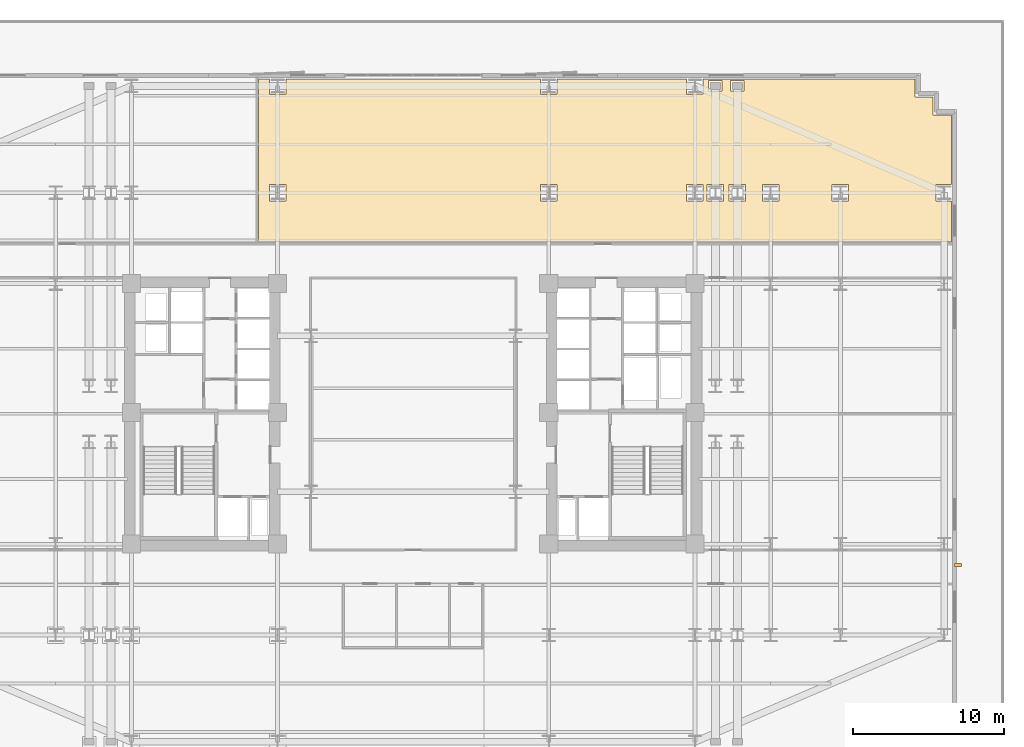
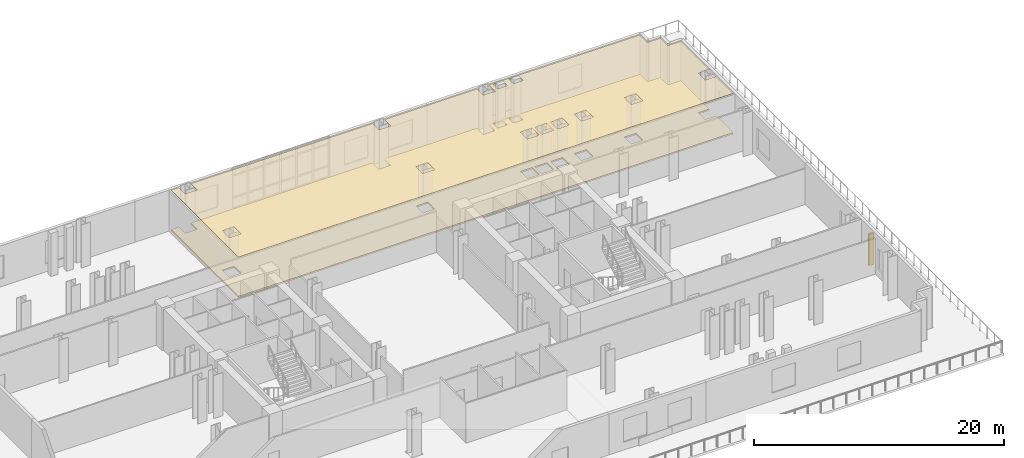
# One storey, part 14 of 14: 2 coverings, 1 shading device.
"""IFC4 building model written with IfcOpenShell, lengths in metres."""

from ifc_helpers import new_model, si_unit, direction, frame, origin, origin_2d, place, context, subcontext, project, spatial, polyline, rectangle, outline, extrude, material, layer, layer_set, type_object, element, save


model = new_model("IFC4")

# Units and contexts
model_context = context("Model", 3, precision=1e-05, world=origin(), true_north=direction((0.0, 1.0)))
body_context = subcontext(model_context, "Body", "Model", "MODEL_VIEW")
ifc_project = project(units=[si_unit("LENGTHUNIT", "METRE"), si_unit("AREAUNIT", "SQUARE_METRE"), si_unit("VOLUMEUNIT", "CUBIC_METRE"), si_unit("PLANEANGLEUNIT", "RADIAN"), si_unit("MASSUNIT", "GRAM", prefix="KILO")], contexts=[model_context])

# Site, building, storey
site_placement = place(None, origin())
site = spatial("IfcSite", under=ifc_project, at=site_placement, CompositionType="ELEMENT")
building_placement = place(site_placement, origin())
building = spatial("IfcBuilding", under=site, at=building_placement, Name="Velakula Bourse", CompositionType="ELEMENT")
storey_placement = place(building_placement, frame((0.0, 0.0, 27.0)))
storey = spatial("IfcBuildingStorey", under=building, at=storey_placement, Name="L06", CompositionType="ELEMENT", Elevation=27.0)

# Coverings
ifc_material_1 = material(Name="Mineral-fibre acoustic suspended ceiling tile", Category="mineral")
ifc_layer_1 = layer(ifc_material_1, 0.0400390625, Name="Mineral-fibre acoustic suspended ceiling tile", Category="mineral")
ifc_layer_set_1 = layer_set([ifc_layer_1], Name="Mineral-fibre acoustic suspended ceiling tile")
covering_type_1 = type_object("IfcCoveringType", Name="COV-CEIL-AC-40", PredefinedType="CEILING", material=ifc_layer_set_1)
covering_1_placement = place(storey_placement, frame((0.0, 0.0, 3.949951171875)))
element("IfcCovering", 1, at=covering_1_placement, inside=storey, type_object=covering_type_1, Name="L06 Yield Curve Seminar Room Acoustic Suspended Ceiling", PredefinedType="CEILING", context=body_context, shape_type="SweptSolid", body=[
    extrude(outline(polyline([(8.405029296875, 22.1201171875), (8.405029296875, 21.10498046875), (9.4951171875, 21.10498046875), (9.4951171875, 22.1201171875), (18.054931640625, 22.1201171875), (18.054931640625, 21.10498046875), (19.14501953125, 21.10498046875), (19.14501953125, 22.1201171875), (33.1201171875, 22.1201171875), (33.1201171875, 20.919921875), (34.320068359375, 20.919921875), (34.320068359375, 19.719970703125), (35.52001953125, 19.719970703125), (35.52001953125, 15.14501953125), (34.5048828125, 15.14501953125), (34.5048828125, 14.054931640625), (35.52001953125, 14.054931640625), (35.52001953125, 11.330078125), (-10.2119140625, 11.330078125), (-10.2119140625, 22.1201171875), (-9.4951171875, 22.1201171875), (-9.4951171875, 21.10498046875), (-8.405029296875, 21.10498046875), (-8.405029296875, 22.1201171875), (8.405029296875, 22.1201171875)]), holes=[polyline([(8.405029296875, 15.14501953125), (8.405029296875, 14.054931640625), (9.4951171875, 14.054931640625), (9.4951171875, 15.14501953125), (8.405029296875, 15.14501953125)]), polyline([(-9.4951171875, 14.054931640625), (-8.405029296875, 14.054931640625), (-8.405029296875, 15.14501953125), (-9.4951171875, 15.14501953125), (-9.4951171875, 14.054931640625)]), polyline([(27.655029296875, 15.14501953125), (27.655029296875, 14.054931640625), (28.7451171875, 14.054931640625), (28.7451171875, 15.14501953125), (27.655029296875, 15.14501953125)]), polyline([(23.054931640625, 15.14501953125), (23.054931640625, 14.054931640625), (24.14501953125, 14.054931640625), (24.14501953125, 15.14501953125), (23.054931640625, 15.14501953125)]), polyline([(20.85498046875, 14.054931640625), (21.945068359375, 14.054931640625), (21.945068359375, 15.14501953125), (20.85498046875, 15.14501953125), (20.85498046875, 14.054931640625)]), polyline([(19.405029296875, 14.054931640625), (20.4951171875, 14.054931640625), (20.4951171875, 15.14501953125), (19.405029296875, 15.14501953125), (19.405029296875, 14.054931640625)]), polyline([(18.054931640625, 14.054931640625), (19.14501953125, 14.054931640625), (19.14501953125, 15.14501953125), (18.054931640625, 15.14501953125), (18.054931640625, 14.054931640625)]), polyline([(20.955078125, 21.9951171875), (20.955078125, 21.304931640625), (21.844970703125, 21.304931640625), (21.844970703125, 21.9951171875), (20.955078125, 21.9951171875)]), polyline([(19.5048828125, 21.9951171875), (19.5048828125, 21.304931640625), (20.39501953125, 21.304931640625), (20.39501953125, 21.9951171875), (19.5048828125, 21.9951171875)])]), origin(), (0.0, 0.0, 1.0), 0.0400390625),
])
ifc_material_2 = material(Name="Calcium-sulphate antistatic raised access flooring", Category="gypsum")
ifc_layer_2 = layer(ifc_material_2, 0.14990234375, Name="Calcium-sulphate antistatic raised access flooring", Category="gypsum")
ifc_layer_set_2 = layer_set([ifc_layer_2], Name="Calcium-sulphate antistatic raised access flooring")
covering_type_2 = type_object("IfcCoveringType", Name="COV-FLR-RAISED-150", PredefinedType="FLOORING", material=ifc_layer_set_2)
covering_2_placement = place(storey_placement, origin())
element("IfcCovering", 2, at=covering_2_placement, inside=storey, type_object=covering_type_2, Name="L06 Yield Curve Seminar Room Raised Trading Access Floor", PredefinedType="FLOORING", context=body_context, shape_type="SweptSolid", body=[
    extrude(outline(polyline([(8.405029296875, 22.1201171875), (8.405029296875, 21.10498046875), (9.4951171875, 21.10498046875), (9.4951171875, 22.1201171875), (18.054931640625, 22.1201171875), (18.054931640625, 21.10498046875), (19.14501953125, 21.10498046875), (19.14501953125, 22.1201171875), (33.1201171875, 22.1201171875), (33.1201171875, 20.919921875), (34.320068359375, 20.919921875), (34.320068359375, 19.719970703125), (35.52001953125, 19.719970703125), (35.52001953125, 15.14501953125), (34.5048828125, 15.14501953125), (34.5048828125, 14.054931640625), (35.52001953125, 14.054931640625), (35.52001953125, 11.330078125), (-10.2119140625, 11.330078125), (-10.2119140625, 22.1201171875), (-9.4951171875, 22.1201171875), (-9.4951171875, 21.10498046875), (-8.405029296875, 21.10498046875), (-8.405029296875, 22.1201171875), (8.405029296875, 22.1201171875)]), holes=[polyline([(8.405029296875, 15.14501953125), (8.405029296875, 14.054931640625), (9.4951171875, 14.054931640625), (9.4951171875, 15.14501953125), (8.405029296875, 15.14501953125)]), polyline([(-9.4951171875, 14.054931640625), (-8.405029296875, 14.054931640625), (-8.405029296875, 15.14501953125), (-9.4951171875, 15.14501953125), (-9.4951171875, 14.054931640625)]), polyline([(27.655029296875, 15.14501953125), (27.655029296875, 14.054931640625), (28.7451171875, 14.054931640625), (28.7451171875, 15.14501953125), (27.655029296875, 15.14501953125)]), polyline([(23.054931640625, 15.14501953125), (23.054931640625, 14.054931640625), (24.14501953125, 14.054931640625), (24.14501953125, 15.14501953125), (23.054931640625, 15.14501953125)]), polyline([(20.85498046875, 14.054931640625), (21.945068359375, 14.054931640625), (21.945068359375, 15.14501953125), (20.85498046875, 15.14501953125), (20.85498046875, 14.054931640625)]), polyline([(19.405029296875, 14.054931640625), (20.4951171875, 14.054931640625), (20.4951171875, 15.14501953125), (19.405029296875, 15.14501953125), (19.405029296875, 14.054931640625)]), polyline([(18.054931640625, 14.054931640625), (19.14501953125, 14.054931640625), (19.14501953125, 15.14501953125), (18.054931640625, 15.14501953125), (18.054931640625, 14.054931640625)]), polyline([(20.955078125, 21.9951171875), (20.955078125, 21.304931640625), (21.844970703125, 21.304931640625), (21.844970703125, 21.9951171875), (20.955078125, 21.9951171875)]), polyline([(19.5048828125, 21.9951171875), (19.5048828125, 21.304931640625), (20.39501953125, 21.304931640625), (20.39501953125, 21.9951171875), (19.5048828125, 21.9951171875)])]), origin(), (0.0, 0.0, 1.0), 0.14990234375),
])

# Shading device
ifc_material_3 = material(Name="Anodised bronze architectural aluminium", Category="aluminium")
shading_device_type = type_object("IfcShadingDeviceType", Name="SHD-FIN-450", PredefinedType="USERDEFINED", material=ifc_material_3)
shading_device_placement = place(storey_placement, frame((35.9599609375, -9.969970703125, 0.0), z_axis=(0.0, 0.0, 1.0), x_axis=(1.0, 0.0, 0.0)))
element("IfcShadingDevice", 3, at=shading_device_placement, inside=storey, type_object=shading_device_type, Name="L06 Vertical Bronze Solar Shading Fin E", ObjectType="FIN", PredefinedType="USERDEFINED", context=body_context, shape_type="SweptSolid", body=[
    extrude(rectangle(XDim=0.449951171875, YDim=0.179931640625, at=origin_2d()), origin(), (0.0, 0.0, 1.0), 3.10009765625),
])

save(model, "model.ifc")
